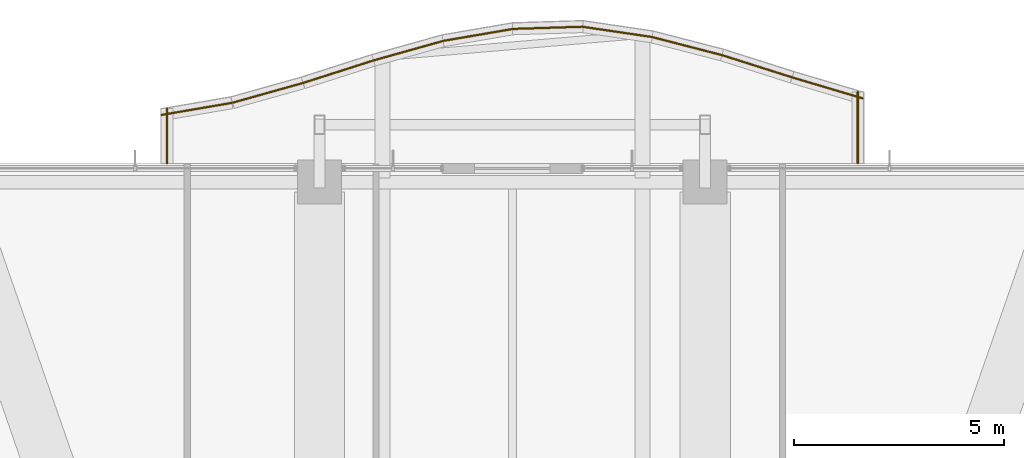
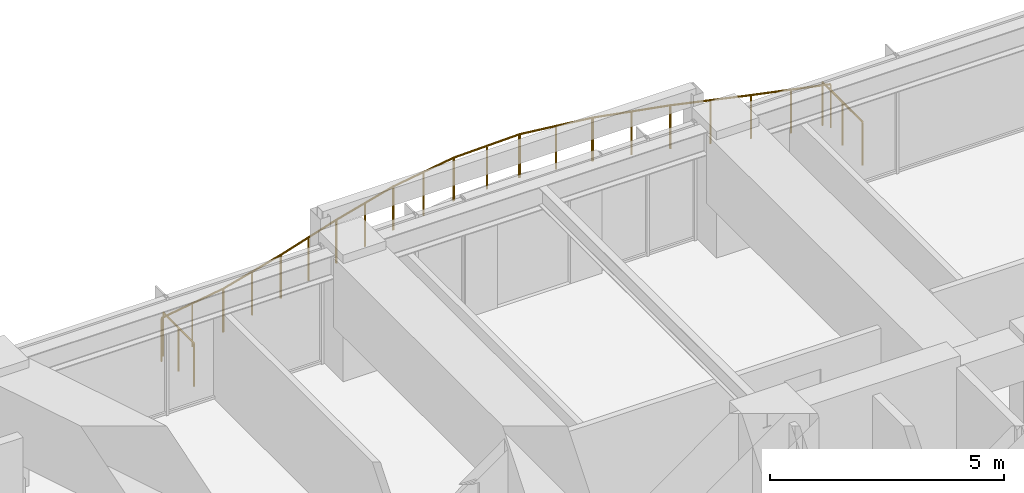
# One storey, part 39 of 39: 12 railings.
"""IFC4 building model written with IfcOpenShell, lengths in metres."""

from ifc_helpers import new_model, si_unit, direction, frame, origin, origin_2d, place, context, subcontext, project, spatial, circle, extrude, material, type_object, element, save


model = new_model("IFC4")

# Units and contexts
model_context = context("Model", 3, precision=1e-05, world=origin(), true_north=direction((0.0, 1.0)))
body_context = subcontext(model_context, "Body", "Model", "MODEL_VIEW")
ifc_project = project(units=[si_unit("LENGTHUNIT", "METRE"), si_unit("AREAUNIT", "SQUARE_METRE"), si_unit("VOLUMEUNIT", "CUBIC_METRE"), si_unit("PLANEANGLEUNIT", "RADIAN"), si_unit("MASSUNIT", "GRAM", prefix="KILO")], contexts=[model_context])

# Site, building, storey
site_placement = place(None, origin())
site = spatial("IfcSite", under=ifc_project, at=site_placement, CompositionType="ELEMENT")
building_placement = place(site_placement, origin())
building = spatial("IfcBuilding", under=site, at=building_placement, Name="Kolvaren Belvedere", CompositionType="ELEMENT")
storey_placement = place(building_placement, frame((0.0, 0.0, 85.39990234375)))
storey = spatial("IfcBuildingStorey", under=building, at=storey_placement, Name="L24", CompositionType="ELEMENT", Elevation=85.39990234375)

# Railings
ifc_material = material(Name="Anodised pale-metal aluminium & laminated glass guard", Category="aluminium")
railing_type = type_object("IfcRailingType", Name="RL-GUARD-1150", PredefinedType="GUARDRAIL", material=ifc_material)
railing_1_placement = place(storey_placement, frame((8.239990234375, 20.39990234375, 0.380126953125)))
element("IfcRailing", 1, at=railing_1_placement, inside=storey, type_object=railing_type, Name="L24 Exterior Deck Safety Guard BAL-N-11", PredefinedType="GUARDRAIL", context=body_context, shape_type="SweptSolid", body=[
    extrude(circle(Radius=0.02392578125, at=origin_2d()), frame((0.0, 0.0, 1.1259765625), z_axis=(0.0, 1.0, 0.0), x_axis=(-1.0, 0.0, 0.0)), (0.0, 0.0, 1.0), 1.705322265625),
    extrude(circle(Radius=0.02099609375, at=origin_2d()), origin(), (0.0, 0.0, 1.0), 1.101806640625),
    extrude(circle(Radius=0.02099609375, at=origin_2d()), frame((0.0, 0.8525390625, 0.0)), (0.0, 0.0, 1.0), 1.101806640625),
    extrude(circle(Radius=0.02099609375, at=origin_2d()), frame((0.0, 1.705322265625, 0.0)), (0.0, 0.0, 1.0), 1.101806640625),
])
railing_2_placement = place(storey_placement, frame((8.3544921875, 21.951904296875, 0.380126953125)))
element("IfcRailing", 2, at=railing_2_placement, inside=storey, type_object=railing_type, Name="L24 Exterior Deck Safety Guard BAL-N-12", PredefinedType="GUARDRAIL", context=body_context, shape_type="SweptSolid", body=[
    extrude(circle(Radius=0.02392578125, at=origin_2d()), frame((0.0, 0.0, 1.1259765625), z_axis=(-0.958574394638, 0.284842289601, 0.0), x_axis=(-0.284842289601, -0.958574394638, 0.0)), (0.0, 0.0, 1.0), 1.752685546875),
    extrude(circle(Radius=0.02099609375, at=origin_2d()), origin(), (0.0, 0.0, 1.0), 1.101806640625),
    extrude(circle(Radius=0.02099609375, at=origin_2d()), frame((-0.840087890625, 0.24951171875, 0.0)), (0.0, 0.0, 1.0), 1.101806640625),
    extrude(circle(Radius=0.02099609375, at=origin_2d()), frame((-1.68017578125, 0.499267578125, 0.0)), (0.0, 0.0, 1.0), 1.101806640625),
])
railing_3_placement = place(storey_placement, frame((6.671630859375, 22.4521484375, 0.380126953125)))
element("IfcRailing", 3, at=railing_3_placement, inside=storey, type_object=railing_type, Name="L24 Exterior Deck Safety Guard BAL-N-13", PredefinedType="GUARDRAIL", context=body_context, shape_type="SweptSolid", body=[
    extrude(circle(Radius=0.02392578125, at=origin_2d()), frame((0.0, 0.0, 1.1259765625), z_axis=(-0.953181954832, 0.302397356111, 0.0), x_axis=(-0.302397356111, -0.953181954832, 0.0)), (0.0, 0.0, 1.0), 1.762451171875),
    extrude(circle(Radius=0.02099609375, at=origin_2d()), origin(), (0.0, 0.0, 1.0), 1.101806640625),
    extrude(circle(Radius=0.02099609375, at=origin_2d()), frame((-0.83984375, 0.2666015625, 0.0)), (0.0, 0.0, 1.0), 1.101806640625),
    extrude(circle(Radius=0.02099609375, at=origin_2d()), frame((-1.679931640625, 0.532958984375, 0.0)), (0.0, 0.0, 1.0), 1.101806640625),
])
railing_4_placement = place(storey_placement, frame((5.0, 22.982666015625, 0.380126953125)))
element("IfcRailing", 4, at=railing_4_placement, inside=storey, type_object=railing_type, Name="L24 Exterior Deck Safety Guard BAL-N-14", PredefinedType="GUARDRAIL", context=body_context, shape_type="SweptSolid", body=[
    extrude(circle(Radius=0.02392578125, at=origin_2d()), frame((0.0, 0.0, 1.1259765625), z_axis=(-0.968141031826, 0.250405556038, 0.0), x_axis=(-0.250405556038, -0.968141031826, 0.0)), (0.0, 0.0, 1.0), 1.7353515625),
    extrude(circle(Radius=0.02099609375, at=origin_2d()), origin(), (0.0, 0.0, 1.0), 1.101806640625),
    extrude(circle(Radius=0.02099609375, at=origin_2d()), frame((-0.840087890625, 0.21728515625, 0.0)), (0.0, 0.0, 1.0), 1.101806640625),
    extrude(circle(Radius=0.02099609375, at=origin_2d()), frame((-1.68017578125, 0.4345703125, 0.0)), (0.0, 0.0, 1.0), 1.101806640625),
])
railing_5_placement = place(storey_placement, frame((3.336669921875, 23.413818359375, 0.380126953125)))
element("IfcRailing", 5, at=railing_5_placement, inside=storey, type_object=railing_type, Name="L24 Exterior Deck Safety Guard BAL-N-15", PredefinedType="GUARDRAIL", context=body_context, shape_type="SweptSolid", body=[
    extrude(circle(Radius=0.02392578125, at=origin_2d()), frame((0.0, 0.0, 1.1259765625), z_axis=(-0.989295127716, 0.145928579368, 0.0), x_axis=(-0.145928579368, -0.989295127716, 0.0)), (0.0, 0.0, 1.0), 1.697998046875),
    extrude(circle(Radius=0.02099609375, at=origin_2d()), origin(), (0.0, 0.0, 1.0), 1.101806640625),
    extrude(circle(Radius=0.02099609375, at=origin_2d()), frame((-0.83984375, 0.1240234375, 0.0)), (0.0, 0.0, 1.0), 1.101806640625),
    extrude(circle(Radius=0.02099609375, at=origin_2d()), frame((-1.679931640625, 0.247802734375, 0.0)), (0.0, 0.0, 1.0), 1.101806640625),
])
railing_6_placement = place(storey_placement, frame((1.68505859375, 23.66015625, 0.380126953125)))
element("IfcRailing", 6, at=railing_6_placement, inside=storey, type_object=railing_type, Name="L24 Exterior Deck Safety Guard BAL-N-16", PredefinedType="GUARDRAIL", context=body_context, shape_type="SweptSolid", body=[
    extrude(circle(Radius=0.02392578125, at=origin_2d()), frame((0.0, 0.0, 1.1259765625), z_axis=(-0.999503251643, -0.031515868295, 0.0), x_axis=(0.031515868295, -0.999503251643, 0.0)), (0.0, 0.0, 1.0), 1.680908203125),
    extrude(circle(Radius=0.02099609375, at=origin_2d()), origin(), (0.0, 0.0, 1.0), 1.101806640625),
    extrude(circle(Radius=0.02099609375, at=origin_2d()), frame((-0.840087890625, -0.0263671875, 0.0)), (0.0, 0.0, 1.0), 1.101806640625),
    extrude(circle(Radius=0.02099609375, at=origin_2d()), frame((-1.68017578125, -0.052978515625, 0.0)), (0.0, 0.0, 1.0), 1.101806640625),
])
railing_7_placement = place(storey_placement, frame((0.027099609375, 23.609375, 0.380126953125)))
element("IfcRailing", 7, at=railing_7_placement, inside=storey, type_object=railing_type, Name="L24 Exterior Deck Safety Guard BAL-N-17", PredefinedType="GUARDRAIL", context=body_context, shape_type="SweptSolid", body=[
    extrude(circle(Radius=0.02392578125, at=origin_2d()), frame((0.0, 0.0, 1.1259765625), z_axis=(-0.985640648378, -0.168856484225, 0.0), x_axis=(0.168856484225, -0.985640648378, 0.0)), (0.0, 0.0, 1.0), 1.70458984375),
    extrude(circle(Radius=0.02099609375, at=origin_2d()), origin(), (0.0, 0.0, 1.0), 1.101806640625),
    extrude(circle(Radius=0.02099609375, at=origin_2d()), frame((-0.840087890625, -0.14404296875, 0.0)), (0.0, 0.0, 1.0), 1.101806640625),
    extrude(circle(Radius=0.02099609375, at=origin_2d()), frame((-1.68017578125, -0.287841796875, 0.0)), (0.0, 0.0, 1.0), 1.101806640625),
])
railing_8_placement = place(storey_placement, frame((-1.63671875, 23.3251953125, 0.380126953125)))
element("IfcRailing", 8, at=railing_8_placement, inside=storey, type_object=railing_type, Name="L24 Exterior Deck Safety Guard BAL-N-18", PredefinedType="GUARDRAIL", context=body_context, shape_type="SweptSolid", body=[
    extrude(circle(Radius=0.02392578125, at=origin_2d()), frame((0.0, 0.0, 1.1259765625), z_axis=(-0.962926227834, -0.269764860108, 0.0), x_axis=(0.269764860108, -0.962926227834, 0.0)), (0.0, 0.0, 1.0), 1.744873046875),
    extrude(circle(Radius=0.02099609375, at=origin_2d()), origin(), (0.0, 0.0, 1.0), 1.101806640625),
    extrude(circle(Radius=0.02099609375, at=origin_2d()), frame((-0.840087890625, -0.2353515625, 0.0)), (0.0, 0.0, 1.0), 1.101806640625),
    extrude(circle(Radius=0.02099609375, at=origin_2d()), frame((-1.68017578125, -0.470703125, 0.0)), (0.0, 0.0, 1.0), 1.101806640625),
])
railing_9_placement = place(storey_placement, frame((-3.311279296875, 22.856201171875, 0.380126953125)))
element("IfcRailing", 9, at=railing_9_placement, inside=storey, type_object=railing_type, Name="L24 Exterior Deck Safety Guard BAL-N-19", PredefinedType="GUARDRAIL", context=body_context, shape_type="SweptSolid", body=[
    extrude(circle(Radius=0.02392578125, at=origin_2d()), frame((0.0, 0.0, 1.1259765625), z_axis=(-0.952501264923, -0.304534629099, 0.0), x_axis=(0.304534629099, -0.952501264923, 0.0)), (0.0, 0.0, 1.0), 1.763671875),
    extrude(circle(Radius=0.02099609375, at=origin_2d()), origin(), (0.0, 0.0, 1.0), 1.101806640625),
    extrude(circle(Radius=0.02099609375, at=origin_2d()), frame((-0.83984375, -0.2685546875, 0.0)), (0.0, 0.0, 1.0), 1.101806640625),
    extrude(circle(Radius=0.02099609375, at=origin_2d()), frame((-1.679931640625, -0.537109375, 0.0)), (0.0, 0.0, 1.0), 1.101806640625),
])
railing_10_placement = place(storey_placement, frame((-4.996826171875, 22.3173828125, 0.380126953125)))
element("IfcRailing", 10, at=railing_10_placement, inside=storey, type_object=railing_type, Name="L24 Exterior Deck Safety Guard BAL-N-20", PredefinedType="GUARDRAIL", context=body_context, shape_type="SweptSolid", body=[
    extrude(circle(Radius=0.02392578125, at=origin_2d()), frame((0.0, 0.0, 1.1259765625), z_axis=(-0.962916043401, -0.269801210823, 0.0), x_axis=(0.269801210823, -0.962916043401, 0.0)), (0.0, 0.0, 1.0), 1.74462890625),
    extrude(circle(Radius=0.02099609375, at=origin_2d()), origin(), (0.0, 0.0, 1.0), 1.101806640625),
    extrude(circle(Radius=0.02099609375, at=origin_2d()), frame((-0.83984375, -0.2353515625, 0.0)), (0.0, 0.0, 1.0), 1.101806640625),
    extrude(circle(Radius=0.02099609375, at=origin_2d()), frame((-1.679931640625, -0.470703125, 0.0)), (0.0, 0.0, 1.0), 1.101806640625),
])
railing_11_placement = place(storey_placement, frame((-6.693115234375, 21.843017578125, 0.380126953125)))
element("IfcRailing", 11, at=railing_11_placement, inside=storey, type_object=railing_type, Name="L24 Exterior Deck Safety Guard BAL-N-21", PredefinedType="GUARDRAIL", context=body_context, shape_type="SweptSolid", body=[
    extrude(circle(Radius=0.02392578125, at=origin_2d()), frame((0.0, 0.0, 1.1259765625), z_axis=(-0.985636563949, -0.16888032392, 0.0), x_axis=(0.16888032392, -0.985636563949, 0.0)), (0.0, 0.0, 1.0), 1.704345703125),
    extrude(circle(Radius=0.02099609375, at=origin_2d()), origin(), (0.0, 0.0, 1.0), 1.101806640625),
    extrude(circle(Radius=0.02099609375, at=origin_2d()), frame((-0.83984375, -0.14404296875, 0.0)), (0.0, 0.0, 1.0), 1.101806640625),
    extrude(circle(Radius=0.02099609375, at=origin_2d()), frame((-1.679931640625, -0.287841796875, 0.0)), (0.0, 0.0, 1.0), 1.101806640625),
])
railing_12_placement = place(storey_placement, frame((-8.239990234375, 21.712890625, 0.380126953125)))
element("IfcRailing", 12, at=railing_12_placement, inside=storey, type_object=railing_type, Name="L24 Exterior Deck Safety Guard BAL-N-22", PredefinedType="GUARDRAIL", context=body_context, shape_type="SweptSolid", body=[
    extrude(circle(Radius=0.02392578125, at=origin_2d()), frame((0.0, 0.0, 1.1259765625), z_axis=(0.0, -1.0, 0.0), x_axis=(1.0, 0.0, 0.0)), (0.0, 0.0, 1.0), 1.31298828125),
    extrude(circle(Radius=0.02099609375, at=origin_2d()), origin(), (0.0, 0.0, 1.0), 1.101806640625),
    extrude(circle(Radius=0.02099609375, at=origin_2d()), frame((0.0, -0.656494140625, 0.0)), (0.0, 0.0, 1.0), 1.101806640625),
    extrude(circle(Radius=0.02099609375, at=origin_2d()), frame((0.0, -1.31298828125, 0.0)), (0.0, 0.0, 1.0), 1.101806640625),
])

save(model, "model.ifc")
